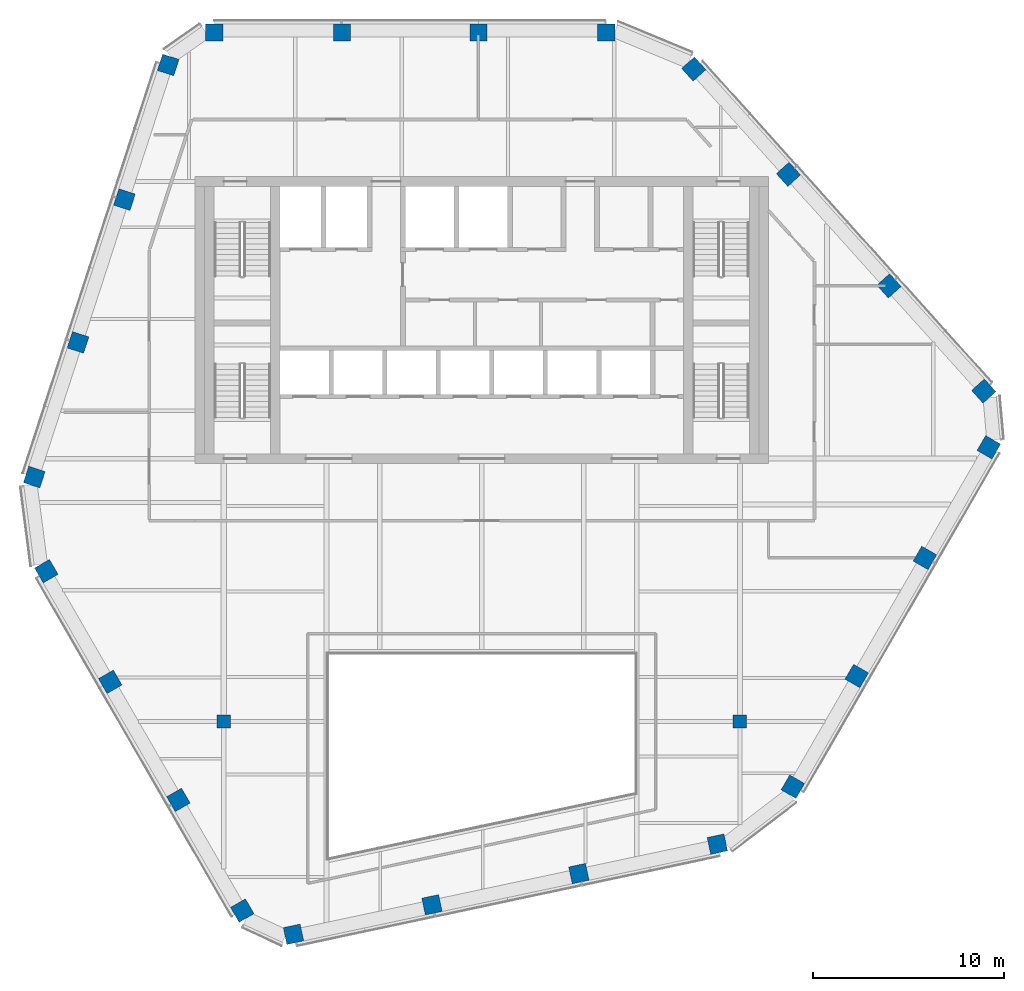
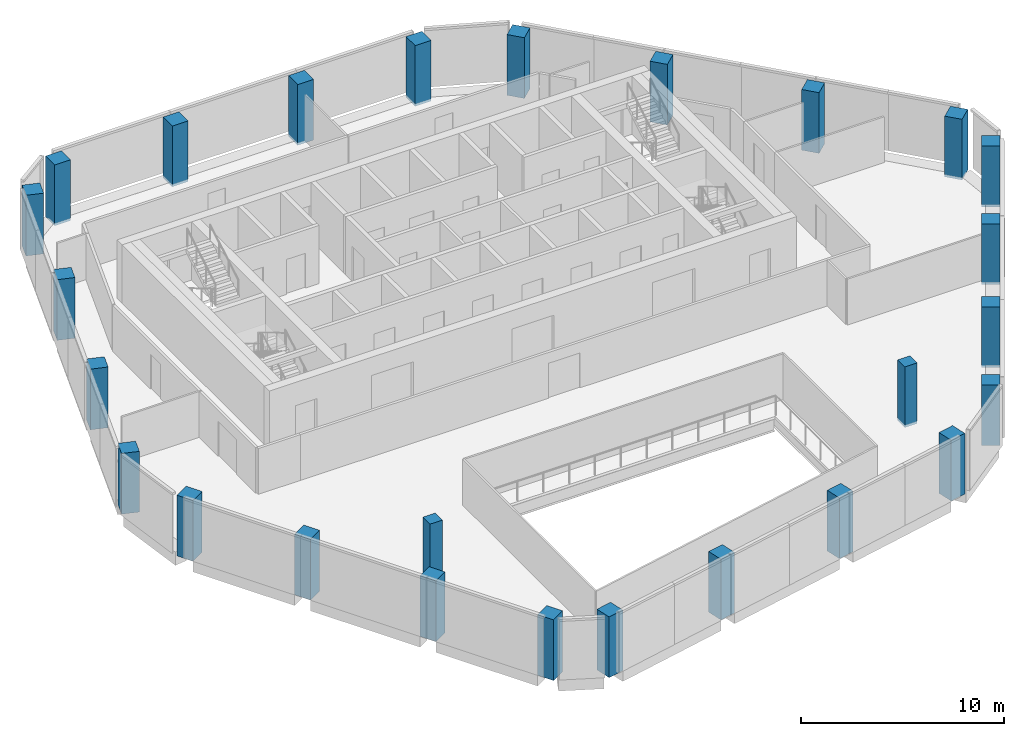
# One storey, part 1 of 15: 26 columns.
"""IFC4 building model written with IfcOpenShell, lengths in metres."""

from ifc_helpers import new_model, si_unit, direction, frame, origin, origin_2d, place, context, subcontext, project, spatial, rectangle, extrude, material, material_profile, profile_set, type_object, element, save


model = new_model("IFC4")

# Units and contexts
model_context = context("Model", 3, precision=1e-05, world=origin(), true_north=direction((0.0, 1.0)))
body_context = subcontext(model_context, "Body", "Model", "MODEL_VIEW")
ifc_project = project(units=[si_unit("LENGTHUNIT", "METRE"), si_unit("AREAUNIT", "SQUARE_METRE"), si_unit("VOLUMEUNIT", "CUBIC_METRE"), si_unit("PLANEANGLEUNIT", "RADIAN"), si_unit("MASSUNIT", "GRAM", prefix="KILO")], contexts=[model_context])

# Site, building, storey
site_placement = place(None, origin())
site = spatial("IfcSite", under=ifc_project, at=site_placement, CompositionType="ELEMENT")
building_placement = place(site_placement, origin())
building = spatial("IfcBuilding", under=site, at=building_placement, Name="Isthmus Gate Tower", CompositionType="ELEMENT")
storey_placement = place(building_placement, frame((0.0, 0.0, 268.25)))
storey = spatial("IfcBuildingStorey", under=building, at=storey_placement, Name="L68", CompositionType="ELEMENT", Elevation=268.25)

# Columns
ifc_material_1 = material(Name="Concrete f'c 50 MPa", Category="concrete")
ifc_material_profile_1 = material_profile(ifc_material_1, rectangle(XDim=0.699951171875, YDim=0.699951171875, at=origin_2d()), Name="RC 700X700")
ifc_profile_set_1 = profile_set([ifc_material_profile_1], Name="Concrete f'c 50 MPa")
column_type_1 = type_object("IfcColumnType", Name="RC INTERIOR COLUMN 700 X 700", PredefinedType="COLUMN", material=ifc_profile_set_1)
for number, where, z_axis, x_axis, name in (
    (1, (-13.5, -13.5, -0.14990234375), (0.0, 0.0, 1.0), (1.0, 0.0, 0.0), "str-icol-L68-ICB2"),
    (2, (13.5, -13.5, -0.14990234375), (0.0, 0.0, 1.0), (1.0, 0.0, 0.0), "str-icol-L68-ICD2"),
):
    element("IfcColumn", number, at=place(storey_placement, frame(where, z_axis=z_axis, x_axis=x_axis)), inside=storey, type_object=column_type_1, Name=name, PredefinedType="COLUMN", context=body_context, shape_type="SweptSolid", body=[
        extrude(rectangle(XDim=0.699951171875, YDim=0.699951171875, at=origin_2d()), origin(), (0.0, 0.0, 1.0), 3.64990234375),
    ])
ifc_material_2 = material(Name="Concrete f'c 50 MPa", Category="concrete")
ifc_material_profile_2 = material_profile(ifc_material_2, rectangle(XDim=0.89990234375, YDim=0.89990234375, at=origin_2d()), Name="RC 900X900")
ifc_profile_set_2 = profile_set([ifc_material_profile_2], Name="Concrete f'c 50 MPa")
column_type_2 = type_object("IfcColumnType", Name="RC TUBE COLUMN 900 X 900", PredefinedType="COLUMN", material=ifc_profile_set_2)
for number, where, z_axis, x_axis, name in (
    (3, (6.509521484375, 22.550048828125, -0.14990234375), (0.0, 0.0, 1.0), (-1.0, 0.0, 0.0), "str-tcol-L68-T4N0"),
    (4, (-0.175048828125, 22.550048828125, -0.14990234375), (0.0, 0.0, 1.0), (-1.0, 0.0, 0.0), "str-tcol-L68-T4N1"),
    (5, (-7.3095703125, 22.550048828125, -0.14990234375), (0.0, 0.0, 1.0), (-1.0, 0.0, 0.0), "str-tcol-L68-T4N2"),
    (6, (-13.994140625, 22.550048828125, -0.14990234375), (0.0, 0.0, 1.0), (-1.0, 0.0, 0.0), "str-tcol-L68-T4N3"),
    (7, (-16.408203125, 20.847900390625, -0.14990234375), (0.0, 0.0, 1.0), (-0.309016994375, -0.951056516295, 0.0), "str-tcol-L68-T4NW0"),
    (8, (-18.697021484375, 13.8037109375, -0.14990234375), (0.0, 0.0, 1.0), (-0.309016994375, -0.951056516295, 0.0), "str-tcol-L68-T4NW1"),
    (9, (-21.124755859375, 6.331298828125, -0.14990234375), (0.0, 0.0, 1.0), (-0.309016994375, -0.951056516295, 0.0), "str-tcol-L68-T4NW2"),
    (10, (-23.41357421875, -0.712890625, -0.14990234375), (0.0, 0.0, 1.0), (-0.309016994375, -0.951056516295, 0.0), "str-tcol-L68-T4NW3"),
    (11, (-22.78369140625, -5.6376953125, -0.14990234375), (0.0, 0.0, 1.0), (0.5, -0.866025403784, 0.0), "str-tcol-L68-T4SW0"),
    (12, (-19.44140625, -11.426513671875, -0.14990234375), (0.0, 0.0, 1.0), (0.5, -0.866025403784, 0.0), "str-tcol-L68-T4SW1"),
    (13, (-15.8740234375, -17.605224609375, -0.14990234375), (0.0, 0.0, 1.0), (0.5, -0.866025403784, 0.0), "str-tcol-L68-T4SW2"),
    (14, (-12.53173828125, -23.394287109375, -0.14990234375), (0.0, 0.0, 1.0), (0.5, -0.866025403784, 0.0), "str-tcol-L68-T4SW3"),
    (15, (-9.850830078125, -24.6337890625, -0.14990234375), (0.0, 0.0, 1.0), (0.978147600734, 0.207911690818, 0.0), "str-tcol-L68-T4S0"),
    (16, (-2.605712890625, -23.09375, -0.14990234375), (0.0, 0.0, 1.0), (0.978147600734, 0.207911690818, 0.0), "str-tcol-L68-T4S1"),
    (17, (5.079345703125, -21.460205078125, -0.14990234375), (0.0, 0.0, 1.0), (0.978147600734, 0.207911690818, 0.0), "str-tcol-L68-T4S2"),
    (18, (12.32421875, -19.92041015625, -0.14990234375), (0.0, 0.0, 1.0), (0.978147600734, 0.207911690818, 0.0), "str-tcol-L68-T4S3"),
    (19, (16.274169921875, -16.912353515625, -0.14990234375), (0.0, 0.0, 1.0), (0.5, 0.866025403784, 0.0), "str-tcol-L68-T4SE0"),
    (20, (19.616455078125, -11.123291015625, -0.14990234375), (0.0, 0.0, 1.0), (0.5, 0.866025403784, 0.0), "str-tcol-L68-T4SE1"),
    (21, (23.18359375, -4.944580078125, -0.14990234375), (0.0, 0.0, 1.0), (0.5, 0.866025403784, 0.0), "str-tcol-L68-T4SE2"),
    (22, (26.52587890625, 0.84423828125, -0.14990234375), (0.0, 0.0, 1.0), (0.5, 0.866025403784, 0.0), "str-tcol-L68-T4SE3"),
    (23, (26.2587890625, 3.785888671875, -0.14990234375), (0.0, 0.0, 1.0), (-0.669130606359, 0.743144825477, 0.0), "str-tcol-L68-T4NE0"),
    (24, (21.302734375, 9.290283203125, -0.14990234375), (0.0, 0.0, 1.0), (-0.669130606359, 0.743144825477, 0.0), "str-tcol-L68-T4NE1"),
    (25, (16.04541015625, 15.12890625, -0.14990234375), (0.0, 0.0, 1.0), (-0.669130606359, 0.743144825477, 0.0), "str-tcol-L68-T4NE2"),
    (26, (11.08935546875, 20.63330078125, -0.14990234375), (0.0, 0.0, 1.0), (-0.669130606359, 0.743144825477, 0.0), "str-tcol-L68-T4NE3"),
):
    element("IfcColumn", number, at=place(storey_placement, frame(where, z_axis=z_axis, x_axis=x_axis)), inside=storey, type_object=column_type_2, Name=name, PredefinedType="COLUMN", context=body_context, shape_type="SweptSolid", body=[
        extrude(rectangle(XDim=0.89990234375, YDim=0.89990234375, at=origin_2d()), origin(), (0.0, 0.0, 1.0), 3.64990234375),
    ])

save(model, "model.ifc")
